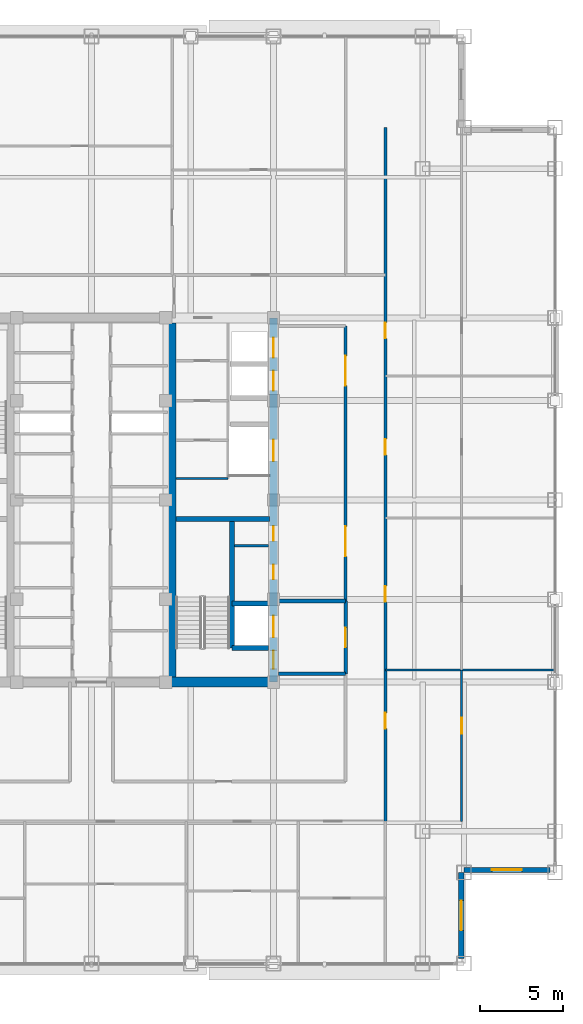
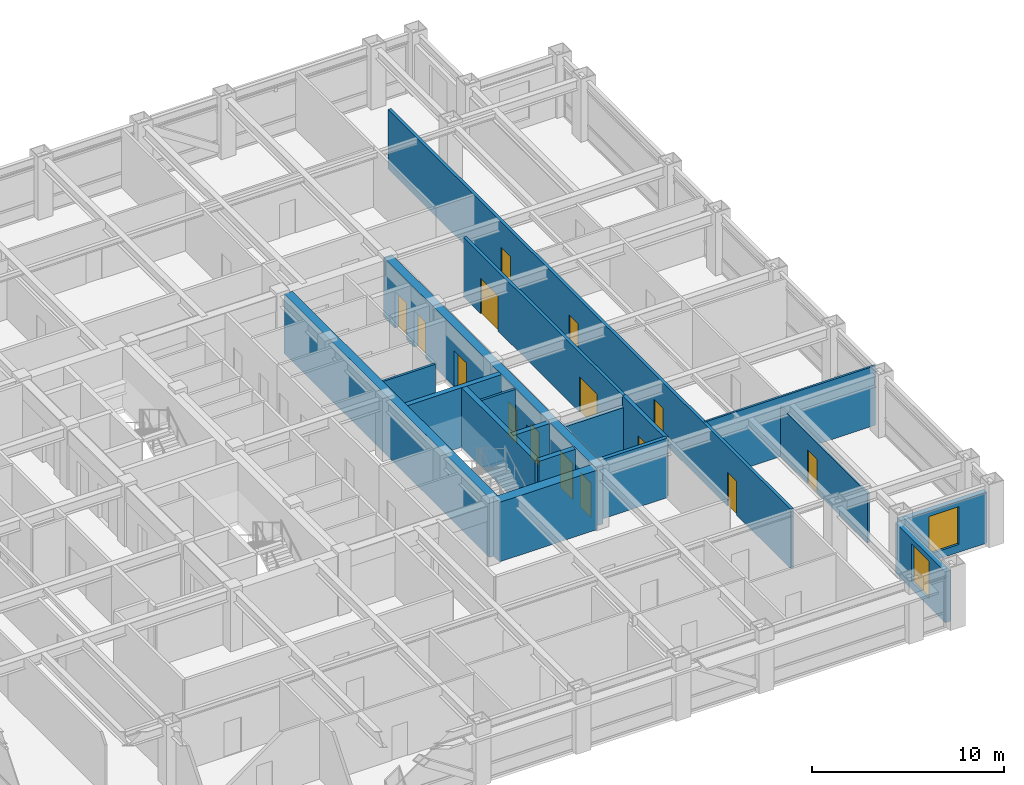
# One storey, part 20 of 27: 18 walls, 15 doors, 2 windows, 17 openings.
"""IFC4 building model written with IfcOpenShell, lengths in metres."""

from ifc_helpers import new_model, si_unit, direction, frame, frame_2d, origin, place, context, subcontext, project, spatial, rectangle, extrude, source, transform, mapped, material, layer, layer_set, type_object, element, fill, save


model = new_model("IFC4")

# Units and contexts
model_context = context("Model", 3, precision=1e-05, world=origin(), true_north=direction((0.0, 1.0)))
body_context = subcontext(model_context, "Body", "Model", "MODEL_VIEW")
ifc_project = project(units=[si_unit("LENGTHUNIT", "METRE"), si_unit("AREAUNIT", "SQUARE_METRE"), si_unit("VOLUMEUNIT", "CUBIC_METRE"), si_unit("PLANEANGLEUNIT", "RADIAN"), si_unit("MASSUNIT", "GRAM", prefix="KILO")], contexts=[model_context])

# Site, building, storey
site_placement = place(None, origin())
site = spatial("IfcSite", under=ifc_project, at=site_placement, CompositionType="ELEMENT")
building_placement = place(site_placement, origin())
building = spatial("IfcBuilding", under=site, at=building_placement, Name="Khorayat Bourse Tower", CompositionType="ELEMENT")
storey_placement = place(building_placement, frame((0.0, 0.0, 281.5)))
storey = spatial("IfcBuildingStorey", under=building, at=storey_placement, Name="L66", CompositionType="ELEMENT", Elevation=281.5)

# Wall, openings, doors
ifc_material_1 = material(Name="Concrete C52/65", Category="concrete")
ifc_layer_1 = layer(ifc_material_1, 0.5)
ifc_layer_set_1 = layer_set([ifc_layer_1], Name="Concrete C52/65")
wall_type_1 = type_object("IfcWallType", Name="WAL-CORE-500", PredefinedType="SHEAR", material=ifc_layer_set_1)
shared_shape_1 = source(origin(), body_context, "Body", "SweptSolid", [
    extrude(rectangle(XDim=22.0, YDim=0.5, at=frame_2d((11.0, 0.0))), origin(), (0.0, 0.0, 1.0), 3.780029296875),
])
wall_1_placement = place(storey_placement, frame((11.0, -11.0, 0.0), z_axis=(0.0, 0.0, 1.0), x_axis=(0.0, 1.0, 0.0)))
wall_1 = element("IfcWall", 1, at=wall_1_placement, inside=storey, type_object=wall_type_1, Name="L66 Core Shear Wall CORE-E", PredefinedType="SHEAR", context=body_context, shape_type="MappedRepresentation", body=[
    mapped(shared_shape_1, transform((0.0, 0.0, 0.0), scale=1.0)),
])
shared_shape_2 = source(origin(), body_context, "Body", "SweptSolid", [
    extrude(rectangle(XDim=1.10009765625, YDim=2.199951171875, at=frame_2d((0.550048828125, 1.10009765625))), frame((0.0, 0.260009765625, 0.0), z_axis=(0.0, -1.0, 0.0), x_axis=(1.0, 0.0, 0.0)), (0.0, 0.0, 1.0), 0.52001953125),
])
opening_1_placement = place(wall_1_placement, frame((0.800048828125, 0.0, 0.0)))
opening_1 = element("IfcOpeningElement", 2, at=opening_1_placement, cuts=wall_1, Name="Opening DI-01", PredefinedType="OPENING", context=body_context, shape_type="MappedRepresentation", body=[
    mapped(shared_shape_2, transform((0.0, 0.0, 0.0), scale=1.0)),
])
shared_shape_3 = source(origin(), body_context, "Body", "SweptSolid", [
    extrude(rectangle(XDim=0.89990234375, YDim=2.14990234375, at=frame_2d((0.449951171875, 1.074951171875))), frame((0.0, 0.260009765625, 0.0), z_axis=(0.0, -1.0, 0.0), x_axis=(1.0, 0.0, 0.0)), (0.0, 0.0, 1.0), 0.52001953125),
])
opening_2_placement = place(wall_1_placement, frame((6.199951171875, 0.0, 0.0)))
opening_2 = element("IfcOpeningElement", 3, at=opening_2_placement, cuts=wall_1, Name="Opening DI-06", PredefinedType="OPENING", context=body_context, shape_type="MappedRepresentation", body=[
    mapped(shared_shape_3, transform((0.0, 0.0, 0.0), scale=1.0)),
])
opening_3_placement = place(wall_1_placement, frame((8.52490234375, 0.0, 0.0)))
opening_3 = element("IfcOpeningElement", 4, at=opening_3_placement, cuts=wall_1, Name="Opening DI-06", PredefinedType="OPENING", context=body_context, shape_type="MappedRepresentation", body=[
    mapped(shared_shape_3, transform((0.0, 0.0, 0.0), scale=1.0)),
])
shared_shape_4 = source(origin(), body_context, "Body", "SweptSolid", [
    extrude(rectangle(XDim=1.199951171875, YDim=2.300048828125, at=frame_2d((0.60009765625, 1.14990234375))), frame((0.0, 0.260009765625, 0.0), z_axis=(0.0, -1.0, 0.0), x_axis=(1.0, 0.0, 0.0)), (0.0, 0.0, 1.0), 0.52001953125),
])
opening_4_placement = place(wall_1_placement, frame((17.60009765625, 0.0, 0.0)))
opening_4 = element("IfcOpeningElement", 5, at=opening_4_placement, cuts=wall_1, Name="Opening LD-01", PredefinedType="OPENING", context=body_context, shape_type="MappedRepresentation", body=[
    mapped(shared_shape_4, transform((0.0, 0.0, 0.0), scale=1.0)),
])
opening_5_placement = place(wall_1_placement, frame((19.60009765625, 0.0, 0.0)))
opening_5 = element("IfcOpeningElement", 6, at=opening_5_placement, cuts=wall_1, Name="Opening LD-01", PredefinedType="OPENING", context=body_context, shape_type="MappedRepresentation", body=[
    mapped(shared_shape_4, transform((0.0, 0.0, 0.0), scale=1.0)),
])
shared_shape_5 = source(origin(), body_context, "Body", "SweptSolid", [
    extrude(rectangle(XDim=1.300048828125, YDim=2.300048828125, at=frame_2d((0.64990234375, 1.14990234375))), frame((0.0, 0.260009765625, 0.0), z_axis=(0.0, -1.0, 0.0), x_axis=(1.0, 0.0, 0.0)), (0.0, 0.0, 1.0), 0.52001953125),
])
opening_6_placement = place(wall_1_placement, frame((2.699951171875, 0.0, 0.0)))
opening_6 = element("IfcOpeningElement", 7, at=opening_6_placement, cuts=wall_1, Name="Opening LD-02", PredefinedType="OPENING", context=body_context, shape_type="MappedRepresentation", body=[
    mapped(shared_shape_5, transform((0.0, 0.0, 0.0), scale=1.0)),
])
opening_7_placement = place(wall_1_placement, frame((13.35009765625, 0.0, 0.0)))
opening_7 = element("IfcOpeningElement", 8, at=opening_7_placement, cuts=wall_1, Name="Opening LD-02", PredefinedType="OPENING", context=body_context, shape_type="MappedRepresentation", body=[
    mapped(shared_shape_5, transform((0.0, 0.0, 0.0), scale=1.0)),
])
ifc_material_2 = material(Name="Fire-rated steel acoustic leaf", Category="steel")
door_type_1 = type_object("IfcDoorType", Name="DR-INT-STAIR-1100", OperationType="NOTDEFINED", PredefinedType="DOOR", material=ifc_material_2)
shared_shape_6 = source(origin(), body_context, "Body", "SweptSolid", [
    extrude(rectangle(XDim=1.10009765625, YDim=2.199951171875, at=frame_2d((0.550048828125, 1.10009765625))), frame((0.0, 0.02490234375, 0.0), z_axis=(0.0, -1.0, 0.0), x_axis=(1.0, 0.0, 0.0)), (0.0, 0.0, 1.0), 0.050048828125),
])
door_1_placement = place(opening_1_placement, origin())
door_1 = element("IfcDoor", 9, at=door_1_placement, inside=storey, type_object=door_type_1, Name="L66 Exit Stair 3 Door", OperationType="SINGLE_SWING_LEFT", OverallHeight=2.199951171875, OverallWidth=1.10009765625, PredefinedType="DOOR", context=body_context, shape_type="MappedRepresentation", body=[
    mapped(shared_shape_6, transform((0.0, 0.0, 0.0), scale=1.0)),
])
fill(opening_1, door_1)
ifc_material_3 = material(Name="Moisture-resistant laminate washroom door")
door_type_2 = type_object("IfcDoorType", Name="DR-INT-WC-900", OperationType="NOTDEFINED", PredefinedType="DOOR", material=ifc_material_3)
shared_shape_7 = source(origin(), body_context, "Body", "SweptSolid", [
    extrude(rectangle(XDim=0.89990234375, YDim=2.14990234375, at=frame_2d((0.449951171875, 1.074951171875))), frame((0.0, 0.02490234375, 0.0), z_axis=(0.0, -1.0, 0.0), x_axis=(1.0, 0.0, 0.0)), (0.0, 0.0, 1.0), 0.050048828125),
])
door_2_placement = place(opening_2_placement, origin())
door_2 = element("IfcDoor", 10, at=door_2_placement, inside=storey, type_object=door_type_2, Name="L66 Telecom Closet Door", OperationType="SINGLE_SWING_LEFT", OverallHeight=2.14990234375, OverallWidth=0.89990234375, PredefinedType="DOOR", context=body_context, shape_type="MappedRepresentation", body=[
    mapped(shared_shape_7, transform((0.0, 0.0, 0.0), scale=1.0)),
])
fill(opening_2, door_2)
door_3_placement = place(opening_3_placement, origin())
door_3 = element("IfcDoor", 11, at=door_3_placement, inside=storey, type_object=door_type_2, Name="L66 Stationery Store Door", OperationType="SINGLE_SWING_RIGHT", OverallHeight=2.14990234375, OverallWidth=0.89990234375, PredefinedType="DOOR", context=body_context, shape_type="MappedRepresentation", body=[
    mapped(shared_shape_7, transform((0.0, 0.0, 0.0), scale=1.0)),
])
fill(opening_3, door_3)
ifc_material_4 = material(Name="Brushed bronze stainless-steel sliding door", Category="steel")
door_type_3 = type_object("IfcDoorType", Name="DR-LIFT-PASS-1200", OperationType="NOTDEFINED", PredefinedType="DOOR", material=ifc_material_4)
shared_shape_8 = source(origin(), body_context, "Body", "SweptSolid", [
    extrude(rectangle(XDim=1.199951171875, YDim=2.300048828125, at=frame_2d((0.60009765625, 1.14990234375))), frame((0.0, 0.02490234375, 0.0), z_axis=(0.0, -1.0, 0.0), x_axis=(1.0, 0.0, 0.0)), (0.0, 0.0, 1.0), 0.050048828125),
])
door_4_placement = place(opening_4_placement, origin())
door_4 = element("IfcDoor", 12, at=door_4_placement, inside=storey, type_object=door_type_3, Name="L66 Lift PL-H3 Sliding Landing Door", OperationType="SLIDING_TO_LEFT", OverallHeight=2.300048828125, OverallWidth=1.199951171875, PredefinedType="DOOR", context=body_context, shape_type="MappedRepresentation", body=[
    mapped(shared_shape_8, transform((0.0, 0.0, 0.0), scale=1.0)),
])
fill(opening_4, door_4)
door_5_placement = place(opening_5_placement, origin())
door_5 = element("IfcDoor", 13, at=door_5_placement, inside=storey, type_object=door_type_3, Name="L66 Lift PL-H4 Sliding Landing Door", OperationType="SLIDING_TO_LEFT", OverallHeight=2.300048828125, OverallWidth=1.199951171875, PredefinedType="DOOR", context=body_context, shape_type="MappedRepresentation", body=[
    mapped(shared_shape_8, transform((0.0, 0.0, 0.0), scale=1.0)),
])
fill(opening_5, door_5)
ifc_material_5 = material(Name="Fire-rated stainless-steel sliding landing door", Category="steel")
door_type_4 = type_object("IfcDoorType", Name="DR-LIFT-FF-1300", OperationType="NOTDEFINED", PredefinedType="DOOR", material=ifc_material_5)
shared_shape_9 = source(origin(), body_context, "Body", "SweptSolid", [
    extrude(rectangle(XDim=1.300048828125, YDim=2.300048828125, at=frame_2d((0.64990234375, 1.14990234375))), frame((0.0, 0.02490234375, 0.0), z_axis=(0.0, -1.0, 0.0), x_axis=(1.0, 0.0, 0.0)), (0.0, 0.0, 1.0), 0.050048828125),
])
door_6_placement = place(opening_6_placement, origin())
door_6 = element("IfcDoor", 14, at=door_6_placement, inside=storey, type_object=door_type_4, Name="L66 Lift FFL-02 Sliding Landing Door", OperationType="SLIDING_TO_LEFT", OverallHeight=2.300048828125, OverallWidth=1.300048828125, PredefinedType="DOOR", context=body_context, shape_type="MappedRepresentation", body=[
    mapped(shared_shape_9, transform((0.0, 0.0, 0.0), scale=1.0)),
])
fill(opening_6, door_6)
door_7_placement = place(opening_7_placement, origin())
door_7 = element("IfcDoor", 15, at=door_7_placement, inside=storey, type_object=door_type_4, Name="L66 Lift SVL-01 Sliding Landing Door", OperationType="SLIDING_TO_LEFT", OverallHeight=2.300048828125, OverallWidth=1.300048828125, PredefinedType="DOOR", context=body_context, shape_type="MappedRepresentation", body=[
    mapped(shared_shape_9, transform((0.0, 0.0, 0.0), scale=1.0)),
])
fill(opening_7, door_7)

# Walls
shared_shape_10 = source(origin(), body_context, "Body", "SweptSolid", [
    extrude(rectangle(XDim=21.39990234375, YDim=0.5, at=frame_2d((10.699951171875, 0.0))), origin(), (0.0, 0.0, 1.0), 3.780029296875),
])
wall_2_placement = place(storey_placement, frame((4.85009765625, -10.699951171875, 0.0), z_axis=(0.0, 0.0, 1.0), x_axis=(0.0, 1.0, 0.0)))
element("IfcWall", 16, at=wall_2_placement, inside=storey, type_object=wall_type_1, Name="L66 Core Shear Wall PIER-E", PredefinedType="SHEAR", context=body_context, shape_type="MappedRepresentation", body=[
    mapped(shared_shape_10, transform((0.0, 0.0, 0.0), scale=1.0)),
])
ifc_material_6 = material(Name="Concrete C60/75", Category="concrete")
ifc_layer_2 = layer(ifc_material_6, 0.60009765625)
ifc_layer_set_2 = layer_set([ifc_layer_2], Name="Concrete C60/75")
wall_type_2 = type_object("IfcWallType", Name="WAL-CORE-600", PredefinedType="SHEAR", material=ifc_layer_set_2)
shared_shape_11 = source(origin(), body_context, "Body", "SweptSolid", [
    extrude(rectangle(XDim=5.89990234375, YDim=0.60009765625, at=frame_2d((2.949951171875, 0.0))), origin(), (0.0, 0.0, 1.0), 3.780029296875),
])
wall_3_placement = place(storey_placement, frame((4.85009765625, -11.0, 0.0), z_axis=(0.0, 0.0, 1.0), x_axis=(1.0, 0.0, 0.0)))
element("IfcWall", 17, at=wall_3_placement, inside=storey, type_object=wall_type_2, Name="L66 Core Shear Wall PIER-ES", PredefinedType="SHEAR", context=body_context, shape_type="MappedRepresentation", body=[
    mapped(shared_shape_11, transform((0.0, 0.0, 0.0), scale=1.0)),
])
ifc_material_7 = material(Name="Concrete C50/60", Category="concrete")
ifc_layer_3 = layer(ifc_material_7, 0.300048828125)
ifc_layer_set_3 = layer_set([ifc_layer_3], Name="Concrete C50/60")
wall_type_3 = type_object("IfcWallType", Name="WAL-SHAFT-300", PredefinedType="SHEAR", material=ifc_layer_set_3)
shared_shape_12 = source(origin(), body_context, "Body", "SweptSolid", [
    extrude(rectangle(XDim=5.64990234375, YDim=0.300048828125, at=frame_2d((2.824951171875, 0.0))), origin(), (0.0, 0.0, 1.0), 3.780029296875),
])
wall_4_placement = place(storey_placement, frame((5.10009765625, -1.14990234375, 0.0), z_axis=(0.0, 0.0, 1.0), x_axis=(1.0, 0.0, 0.0)))
element("IfcWall", 18, at=wall_4_placement, inside=storey, type_object=wall_type_3, Name="L66 Core Shear Wall ST3-DIV", PredefinedType="SHEAR", context=body_context, shape_type="MappedRepresentation", body=[
    mapped(shared_shape_12, transform((0.0, 0.0, 0.0), scale=1.0)),
])

# Wall, opening, window
ifc_material_8 = material(Name="Precast concrete C45/55", Category="concrete")
ifc_layer_4 = layer(ifc_material_8, 0.320068359375)
ifc_layer_set_4 = layer_set([ifc_layer_4], Name="Precast concrete C45/55")
wall_type_4 = type_object("IfcWallType", Name="WAL-EXT-STONE-320", PredefinedType="STANDARD", material=ifc_layer_set_4)
shared_shape_13 = source(origin(), body_context, "Body", "SweptSolid", [
    extrude(rectangle(XDim=5.179931640625, YDim=0.320068359375, at=frame_2d((2.58984375, 0.0))), origin(), (0.0, 0.0, 1.0), 3.23095703125),
])
wall_5_placement = place(storey_placement, frame((22.340087890625, -27.679931640625, 0.0), z_axis=(0.0, 0.0, 1.0), x_axis=(0.0, 1.0, 0.0)))
wall_5 = element("IfcWall", 19, at=wall_5_placement, inside=storey, type_object=wall_type_4, Name="L66 Re-Entrant Notch Limestone Wall SE-V", PredefinedType="STANDARD", context=body_context, shape_type="MappedRepresentation", body=[
    mapped(shared_shape_13, transform((0.0, 0.0, 0.0), scale=1.0)),
])
shared_shape_14 = source(origin(), body_context, "Body", "SweptSolid", [
    extrude(rectangle(XDim=1.800048828125, YDim=2.39990234375, at=frame_2d((0.89990234375, 1.199951171875))), frame((0.0, 0.169921875, 0.0), z_axis=(0.0, -1.0, 0.0), x_axis=(1.0, 0.0, 0.0)), (0.0, 0.0, 1.0), 0.340087890625),
])
opening_8_placement = place(wall_5_placement, frame((1.68994140625, 0.0, 0.5)))
opening_8 = element("IfcOpeningElement", 20, at=opening_8_placement, cuts=wall_5, Name="Opening WN-04", PredefinedType="OPENING", context=body_context, shape_type="MappedRepresentation", body=[
    mapped(shared_shape_14, transform((0.0, 0.0, 0.0), scale=1.0)),
])
ifc_material_9 = material(Name="Low-E acoustic laminated double glazing", Category="glass")
window_type = type_object("IfcWindowType", Name="WIN-NOTCH-1800x2400", PartitioningType="SINGLE_PANEL", PredefinedType="WINDOW", material=ifc_material_9)
shared_shape_15 = source(origin(), body_context, "Body", "SweptSolid", [
    extrude(rectangle(XDim=1.800048828125, YDim=2.39990234375, at=frame_2d((0.89990234375, 1.199951171875))), frame((0.0, 0.030029296875, 0.0), z_axis=(0.0, -1.0, 0.0), x_axis=(1.0, 0.0, 0.0)), (0.0, 0.0, 1.0), 0.06005859375),
])
window_1_placement = place(opening_8_placement, origin())
window_1 = element("IfcWindow", 21, at=window_1_placement, inside=storey, type_object=window_type, Name="L66 Facade Window 1", OverallHeight=2.39990234375, OverallWidth=1.800048828125, PartitioningType="SINGLE_PANEL", PredefinedType="WINDOW", context=body_context, shape_type="MappedRepresentation", body=[
    mapped(shared_shape_15, transform((0.0, 0.0, 0.0), scale=1.0)),
])
fill(opening_8, window_1)

wall_6_placement = place(storey_placement, frame((22.5, -22.340087890625, 0.0), z_axis=(0.0, 0.0, 1.0), x_axis=(1.0, 0.0, 0.0)))
wall_6 = element("IfcWall", 22, at=wall_6_placement, inside=storey, type_object=wall_type_4, Name="L66 Re-Entrant Notch Limestone Wall SE-H", PredefinedType="STANDARD", context=body_context, shape_type="MappedRepresentation", body=[
    mapped(shared_shape_13, transform((0.0, 0.0, 0.0), scale=1.0)),
])
opening_9_placement = place(wall_6_placement, frame((1.68994140625, 0.0, 0.5)))
opening_9 = element("IfcOpeningElement", 23, at=opening_9_placement, cuts=wall_6, Name="Opening WN-04", PredefinedType="OPENING", context=body_context, shape_type="MappedRepresentation", body=[
    mapped(shared_shape_14, transform((0.0, 0.0, 0.0), scale=1.0)),
])
window_2_placement = place(opening_9_placement, origin())
window_2 = element("IfcWindow", 24, at=window_2_placement, inside=storey, type_object=window_type, Name="L66 Facade Window 1", OverallHeight=2.39990234375, OverallWidth=1.800048828125, PartitioningType="SINGLE_PANEL", PredefinedType="WINDOW", context=body_context, shape_type="MappedRepresentation", body=[
    mapped(shared_shape_15, transform((0.0, 0.0, 0.0), scale=1.0)),
])
fill(opening_9, window_2)

# Walls
ifc_material_10 = material(Name="Aerated concrete blockwork", Category="masonry")
ifc_layer_5 = layer(ifc_material_10, 0.219970703125)
ifc_layer_set_5 = layer_set([ifc_layer_5], Name="Aerated concrete blockwork")
wall_type_5 = type_object("IfcWallType", Name="WAL-PART-FF-220", PredefinedType="PARTITIONING", material=ifc_layer_set_5)
shared_shape_16 = source(origin(), body_context, "Body", "SweptSolid", [
    extrude(rectangle(XDim=4.050048828125, YDim=0.219970703125, at=frame_2d((2.02490234375, 0.0))), origin(), (0.0, 0.0, 1.0), 3.0849609375),
])
wall_7_placement = place(storey_placement, frame((11.300048828125, -6.10009765625, 0.0), z_axis=(0.0, 0.0, 1.0), x_axis=(1.0, 0.0, 0.0)))
element("IfcWall", 25, at=wall_7_placement, inside=storey, type_object=wall_type_5, Name="L66 Partition WAL-L66-FFLE-N", PredefinedType="PARTITIONING", context=body_context, shape_type="MappedRepresentation", body=[
    mapped(shared_shape_16, transform((0.0, 0.0, 0.0), scale=1.0)),
])
shared_shape_17 = source(origin(), body_context, "Body", "SweptSolid", [
    extrude(rectangle(XDim=7.800048828125, YDim=0.300048828125, at=frame_2d((3.89990234375, 0.0))), origin(), (0.0, 0.0, 1.0), 3.780029296875),
])
wall_8_placement = place(storey_placement, frame((8.5, -8.949951171875, 0.0), z_axis=(0.0, 0.0, 1.0), x_axis=(0.0, 1.0, 0.0)))
element("IfcWall", 26, at=wall_8_placement, inside=storey, type_object=wall_type_3, Name="L66 Partition WAL-L66-EPIER-SP", PredefinedType="SHEAR", context=body_context, shape_type="MappedRepresentation", body=[
    mapped(shared_shape_17, transform((0.0, 0.0, 0.0), scale=1.0)),
])
shared_shape_18 = source(origin(), body_context, "Body", "SweptSolid", [
    extrude(rectangle(XDim=2.199951171875, YDim=0.300048828125, at=frame_2d((1.10009765625, 0.0))), origin(), (0.0, 0.0, 1.0), 3.780029296875),
])
for number, where, z_axis, x_axis, name in (
    (27, (8.5, -8.949951171875, 0.0), (0.0, 0.0, 1.0), (1.0, 0.0, 0.0), "L66 Partition WAL-L66-EPIER-FF2S"),
    (28, (8.5, -6.25, 0.0), (0.0, 0.0, 1.0), (1.0, 0.0, 0.0), "L66 Partition WAL-L66-EPIER-FF2N"),
):
    element("IfcWall", number, at=place(storey_placement, frame(where, z_axis=z_axis, x_axis=x_axis)), inside=storey, type_object=wall_type_3, Name=name, PredefinedType="SHEAR", context=body_context, shape_type="MappedRepresentation", body=[
        mapped(shared_shape_18, transform((0.0, 0.0, 0.0), scale=1.0)),
    ])
ifc_material_11 = material(Name="Gypsum plasterboard twin-frame partition")
ifc_layer_6 = layer(ifc_material_11, 0.14990234375)
ifc_layer_set_6 = layer_set([ifc_layer_6], Name="Gypsum plasterboard twin-frame partition")
wall_type_6 = type_object("IfcWallType", Name="WAL-PART-SUITE-150", PredefinedType="PARTITIONING", material=ifc_layer_set_6)
shared_shape_19 = source(origin(), body_context, "Body", "SweptSolid", [
    extrude(rectangle(XDim=2.050048828125, YDim=0.14990234375, at=frame_2d((1.02490234375, 0.0))), origin(), (0.0, 0.0, 1.0), 3.780029296875),
])
wall_9_placement = place(storey_placement, frame((8.64990234375, -2.75, 0.0), z_axis=(0.0, 0.0, 1.0), x_axis=(1.0, 0.0, 0.0)))
element("IfcWall", 29, at=wall_9_placement, inside=storey, type_object=wall_type_6, Name="L66 Partition WAL-L66-ESRV-D1", PredefinedType="PARTITIONING", context=body_context, shape_type="MappedRepresentation", body=[
    mapped(shared_shape_19, transform((0.0, 0.0, 0.0), scale=1.0)),
])
ifc_material_12 = material(Name="Moisture-resistant masonry partition", Category="masonry")
ifc_layer_7 = layer(ifc_material_12, 0.139892578125)
ifc_layer_set_7 = layer_set([ifc_layer_7], Name="Moisture-resistant masonry partition")
wall_type_7 = type_object("IfcWallType", Name="WAL-PART-WET-140", PredefinedType="PARTITIONING", material=ifc_layer_set_7)
shared_shape_20 = source(origin(), body_context, "Body", "SweptSolid", [
    extrude(rectangle(XDim=3.14990234375, YDim=0.139892578125, at=frame_2d((1.574951171875, 0.0))), origin(), (0.0, 0.0, 1.0), 3.780029296875),
])
wall_10_placement = place(storey_placement, frame((5.10009765625, 1.300048828125, 0.0), z_axis=(0.0, 0.0, 1.0), x_axis=(1.0, 0.0, 0.0)))
element("IfcWall", 30, at=wall_10_placement, inside=storey, type_object=wall_type_7, Name="L66 Partition WAL-L66-ECORE-S", PredefinedType="PARTITIONING", context=body_context, shape_type="MappedRepresentation", body=[
    mapped(shared_shape_20, transform((0.0, 0.0, 0.0), scale=1.0)),
])
shared_shape_21 = source(origin(), body_context, "Body", "SweptSolid", [
    extrude(rectangle(XDim=4.050048828125, YDim=0.219970703125, at=frame_2d((2.02490234375, 0.0))), origin(), (0.0, 0.0, 1.0), 3.780029296875),
])
wall_11_placement = place(storey_placement, frame((11.300048828125, -10.5, 0.0), z_axis=(0.0, 0.0, 1.0), x_axis=(1.0, 0.0, 0.0)))
element("IfcWall", 31, at=wall_11_placement, inside=storey, type_object=wall_type_5, Name="L66 Partition WAL-L66-FFLE-S", PredefinedType="PARTITIONING", context=body_context, shape_type="MappedRepresentation", body=[
    mapped(shared_shape_21, transform((0.0, 0.0, 0.0), scale=1.0)),
])

# Wall, opening, door
shared_shape_22 = source(origin(), body_context, "Body", "SweptSolid", [
    extrude(rectangle(XDim=4.39990234375, YDim=0.219970703125, at=frame_2d((2.199951171875, 0.0))), origin(), (0.0, 0.0, 1.0), 3.780029296875),
])
wall_12_placement = place(storey_placement, frame((15.35009765625, -10.5, 0.0), z_axis=(0.0, 0.0, 1.0), x_axis=(0.0, 1.0, 0.0)))
wall_12 = element("IfcWall", 32, at=wall_12_placement, inside=storey, type_object=wall_type_5, Name="L66 Partition WAL-L66-FFLE-E", PredefinedType="PARTITIONING", context=body_context, shape_type="MappedRepresentation", body=[
    mapped(shared_shape_22, transform((0.0, 0.0, 0.0), scale=1.0)),
])
shared_shape_23 = source(origin(), body_context, "Body", "SweptSolid", [
    extrude(rectangle(XDim=1.199951171875, YDim=2.199951171875, at=frame_2d((0.60009765625, 1.10009765625))), frame((0.0, 0.119873046875, 0.0), z_axis=(0.0, -1.0, 0.0), x_axis=(1.0, 0.0, 0.0)), (0.0, 0.0, 1.0), 0.239990234375),
])
opening_10_placement = place(wall_12_placement, frame((1.60009765625, 0.0, 0.0)))
opening_10 = element("IfcOpeningElement", 33, at=opening_10_placement, cuts=wall_12, Name="Opening DI-02", PredefinedType="OPENING", context=body_context, shape_type="MappedRepresentation", body=[
    mapped(shared_shape_23, transform((0.0, 0.0, 0.0), scale=1.0)),
])
ifc_material_13 = material(Name="Fire-rated steel double-seal leaf", Category="steel")
door_type_5 = type_object("IfcDoorType", Name="DR-INT-FFLOBBY-1200", OperationType="NOTDEFINED", PredefinedType="DOOR", material=ifc_material_13)
shared_shape_24 = source(origin(), body_context, "Body", "SweptSolid", [
    extrude(rectangle(XDim=1.199951171875, YDim=2.199951171875, at=frame_2d((0.60009765625, 1.10009765625))), frame((0.0, 0.02490234375, 0.0), z_axis=(0.0, -1.0, 0.0), x_axis=(1.0, 0.0, 0.0)), (0.0, 0.0, 1.0), 0.050048828125),
])
door_8_placement = place(opening_10_placement, origin())
door_8 = element("IfcDoor", 34, at=door_8_placement, inside=storey, type_object=door_type_5, Name="L66 East Firefighting Lobby Door", OperationType="SINGLE_SWING_RIGHT", OverallHeight=2.199951171875, OverallWidth=1.199951171875, PredefinedType="DOOR", context=body_context, shape_type="MappedRepresentation", body=[
    mapped(shared_shape_24, transform((0.0, 0.0, 0.0), scale=1.0)),
])
fill(opening_10, door_8)

# Wall, openings, doors
ifc_material_14 = material(Name="Gypsum plasterboard acoustic stud wall")
ifc_layer_8 = layer(ifc_material_14, 0.179931640625)
ifc_layer_set_8 = layer_set([ifc_layer_8], Name="Gypsum plasterboard acoustic stud wall")
wall_type_8 = type_object("IfcWallType", Name="WAL-PART-CORR-180", PredefinedType="PARTITIONING", material=ifc_layer_set_8)
shared_shape_25 = source(origin(), body_context, "Body", "SweptSolid", [
    extrude(rectangle(XDim=16.60009765625, YDim=0.179931640625, at=frame_2d((8.300048828125, 0.0))), origin(), (0.0, 0.0, 1.0), 3.780029296875),
])
wall_13_placement = place(storey_placement, frame((15.35009765625, -6.10009765625, 0.0), z_axis=(0.0, 0.0, 1.0), x_axis=(0.0, 1.0, 0.0)))
wall_13 = element("IfcWall", 35, at=wall_13_placement, inside=storey, type_object=wall_type_8, Name="L66 Partition WAL-L66-ELOB-E", PredefinedType="PARTITIONING", context=body_context, shape_type="MappedRepresentation", body=[
    mapped(shared_shape_25, transform((0.0, 0.0, 0.0), scale=1.0)),
])
shared_shape_26 = source(origin(), body_context, "Body", "SweptSolid", [
    extrude(rectangle(XDim=1.800048828125, YDim=2.25, at=frame_2d((0.89990234375, 1.125))), frame((0.0, 0.099853515625, 0.0), z_axis=(0.0, -1.0, 0.0), x_axis=(1.0, 0.0, 0.0)), (0.0, 0.0, 1.0), 0.199951171875),
])
opening_11_placement = place(wall_13_placement, frame((2.699951171875, 0.0, 0.0)))
opening_11 = element("IfcOpeningElement", 36, at=opening_11_placement, cuts=wall_13, Name="Opening DI-03", PredefinedType="OPENING", context=body_context, shape_type="MappedRepresentation", body=[
    mapped(shared_shape_26, transform((0.0, 0.0, 0.0), scale=1.0)),
])
opening_12_placement = place(wall_13_placement, frame((13.0, 0.0, 0.0)))
opening_12 = element("IfcOpeningElement", 37, at=opening_12_placement, cuts=wall_13, Name="Opening DI-03", PredefinedType="OPENING", context=body_context, shape_type="MappedRepresentation", body=[
    mapped(shared_shape_26, transform((0.0, 0.0, 0.0), scale=1.0)),
])
ifc_material_15 = material(Name="Fire-rated hardwood vision-panel double leaf", Category="wood")
door_type_6 = type_object("IfcDoorType", Name="DR-INT-CORR-1800", OperationType="NOTDEFINED", PredefinedType="DOOR", material=ifc_material_15)
shared_shape_27 = source(origin(), body_context, "Body", "SweptSolid", [
    extrude(rectangle(XDim=1.800048828125, YDim=2.25, at=frame_2d((0.89990234375, 1.125))), frame((0.0, 0.02490234375, 0.0), z_axis=(0.0, -1.0, 0.0), x_axis=(1.0, 0.0, 0.0)), (0.0, 0.0, 1.0), 0.050048828125),
])
door_9_placement = place(opening_11_placement, origin())
door_9 = element("IfcDoor", 38, at=door_9_placement, inside=storey, type_object=door_type_6, Name="L66 East Core Lobby South Door", OperationType="SINGLE_SWING_RIGHT", OverallHeight=2.25, OverallWidth=1.800048828125, PredefinedType="DOOR", context=body_context, shape_type="MappedRepresentation", body=[
    mapped(shared_shape_27, transform((0.0, 0.0, 0.0), scale=1.0)),
])
fill(opening_11, door_9)
door_10_placement = place(opening_12_placement, origin())
door_10 = element("IfcDoor", 39, at=door_10_placement, inside=storey, type_object=door_type_6, Name="L66 East Core Lobby North Door", OperationType="SINGLE_SWING_LEFT", OverallHeight=2.25, OverallWidth=1.800048828125, PredefinedType="DOOR", context=body_context, shape_type="MappedRepresentation", body=[
    mapped(shared_shape_27, transform((0.0, 0.0, 0.0), scale=1.0)),
])
fill(opening_12, door_10)

# Wall
ifc_material_16 = material(Name="Gypsum plasterboard partition")
ifc_layer_9 = layer(ifc_material_16, 0.125)
ifc_layer_set_9 = layer_set([ifc_layer_9], Name="Gypsum plasterboard partition")
wall_type_9 = type_object("IfcWallType", Name="WAL-PART-ROOM-125", PredefinedType="PARTITIONING", material=ifc_layer_set_9)
shared_shape_28 = source(origin(), body_context, "Body", "SweptSolid", [
    extrude(rectangle(XDim=10.25, YDim=0.125, at=frame_2d((5.125, 0.0))), origin(), (0.0, 0.0, 1.0), 3.780029296875),
])
wall_14_placement = place(storey_placement, frame((17.75, -10.26806640625, 0.0), z_axis=(0.0, 0.0, 1.0), x_axis=(1.0, 0.0, 0.0)))
element("IfcWall", 40, at=wall_14_placement, inside=storey, type_object=wall_type_9, Name="L66 Partition WAL-L66-EDV-1", PredefinedType="PARTITIONING", context=body_context, shape_type="MappedRepresentation", body=[
    mapped(shared_shape_28, transform((0.0, 0.0, 0.0), scale=1.0)),
])

# Wall, opening, door
shared_shape_29 = source(origin(), body_context, "Body", "SweptSolid", [
    extrude(rectangle(XDim=9.1318359375, YDim=0.125, at=frame_2d((4.56591796875, 0.0))), origin(), (0.0, 0.0, 1.0), 3.1640625),
])
wall_15_placement = place(storey_placement, frame((22.362548828125, -19.39990234375, 0.0), z_axis=(0.0, 0.0, 1.0), x_axis=(0.0, 1.0, 0.0)))
wall_15 = element("IfcWall", 41, at=wall_15_placement, inside=storey, type_object=wall_type_9, Name="L66 Partition WAL-L66-EDP-1", PredefinedType="PARTITIONING", context=body_context, shape_type="MappedRepresentation", body=[
    mapped(shared_shape_29, transform((0.0, 0.0, 0.0), scale=1.0)),
])
shared_shape_30 = source(origin(), body_context, "Body", "SweptSolid", [
    extrude(rectangle(XDim=0.949951171875, YDim=2.14990234375, at=frame_2d((0.47509765625, 1.074951171875))), frame((0.0, 0.072509765625, 0.0), z_axis=(0.0, -1.0, 0.0), x_axis=(1.0, 0.0, 0.0)), (0.0, 0.0, 1.0), 0.14501953125),
])
opening_13_placement = place(wall_15_placement, frame((5.291015625, 0.0, 0.0)))
opening_13 = element("IfcOpeningElement", 42, at=opening_13_placement, cuts=wall_15, Name="Opening DI-05", PredefinedType="OPENING", context=body_context, shape_type="MappedRepresentation", body=[
    mapped(shared_shape_30, transform((0.0, 0.0, 0.0), scale=1.0)),
])
ifc_material_17 = material(Name="Acoustic oak veneer office door")
door_type_7 = type_object("IfcDoorType", Name="DR-INT-OFFICE-950", OperationType="NOTDEFINED", PredefinedType="DOOR", material=ifc_material_17)
shared_shape_31 = source(origin(), body_context, "Body", "SweptSolid", [
    extrude(rectangle(XDim=0.949951171875, YDim=2.14990234375, at=frame_2d((0.47509765625, 1.074951171875))), frame((0.0, 0.02490234375, 0.0), z_axis=(0.0, -1.0, 0.0), x_axis=(1.0, 0.0, 0.0)), (0.0, 0.0, 1.0), 0.050048828125),
])
door_11_placement = place(opening_13_placement, origin())
door_11 = element("IfcDoor", 43, at=door_11_placement, inside=storey, type_object=door_type_7, Name="L66 Clearing Records Archive Store E1B Door", OperationType="SINGLE_SWING_RIGHT", OverallHeight=2.14990234375, OverallWidth=0.949951171875, PredefinedType="DOOR", context=body_context, shape_type="MappedRepresentation", body=[
    mapped(shared_shape_31, transform((0.0, 0.0, 0.0), scale=1.0)),
])
fill(opening_13, door_11)

# Wall, openings, doors
shared_shape_32 = source(origin(), body_context, "Body", "SweptSolid", [
    extrude(rectangle(XDim=41.89990234375, YDim=0.179931640625, at=frame_2d((20.949951171875, 0.0))), origin(), (0.0, 0.0, 1.0), 3.780029296875),
])
wall_16_placement = place(storey_placement, frame((17.75, -19.39990234375, 0.0), z_axis=(0.0, 0.0, 1.0), x_axis=(0.0, 1.0, 0.0)))
wall_16 = element("IfcWall", 44, at=wall_16_placement, inside=storey, type_object=wall_type_8, Name="L66 Partition WAL-L66-ECORR", PredefinedType="PARTITIONING", context=body_context, shape_type="MappedRepresentation", body=[
    mapped(shared_shape_32, transform((0.0, 0.0, 0.0), scale=1.0)),
])
shared_shape_33 = source(origin(), body_context, "Body", "SweptSolid", [
    extrude(rectangle(XDim=0.949951171875, YDim=2.14990234375, at=frame_2d((0.47509765625, 1.074951171875))), frame((0.0, 0.099853515625, 0.0), z_axis=(0.0, -1.0, 0.0), x_axis=(1.0, 0.0, 0.0)), (0.0, 0.0, 1.0), 0.199951171875),
])
opening_14_placement = place(wall_16_placement, frame((5.591064453125, 0.0, 0.0)))
opening_14 = element("IfcOpeningElement", 45, at=opening_14_placement, cuts=wall_16, Name="Opening DI-05", PredefinedType="OPENING", context=body_context, shape_type="MappedRepresentation", body=[
    mapped(shared_shape_33, transform((0.0, 0.0, 0.0), scale=1.0)),
])
opening_15_placement = place(wall_16_placement, frame((13.2470703125, 0.0, 0.0)))
opening_15 = element("IfcOpeningElement", 46, at=opening_15_placement, cuts=wall_16, Name="Opening DI-05", PredefinedType="OPENING", context=body_context, shape_type="MappedRepresentation", body=[
    mapped(shared_shape_33, transform((0.0, 0.0, 0.0), scale=1.0)),
])
opening_16_placement = place(wall_16_placement, frame((22.12109375, 0.0, 0.0)))
opening_16 = element("IfcOpeningElement", 47, at=opening_16_placement, cuts=wall_16, Name="Opening DI-05", PredefinedType="OPENING", context=body_context, shape_type="MappedRepresentation", body=[
    mapped(shared_shape_33, transform((0.0, 0.0, 0.0), scale=1.0)),
])
opening_17_placement = place(wall_16_placement, frame((29.1650390625, 0.0, 0.0)))
opening_17 = element("IfcOpeningElement", 48, at=opening_17_placement, cuts=wall_16, Name="Opening DI-05", PredefinedType="OPENING", context=body_context, shape_type="MappedRepresentation", body=[
    mapped(shared_shape_33, transform((0.0, 0.0, 0.0), scale=1.0)),
])
door_12_placement = place(opening_14_placement, origin())
door_12 = element("IfcDoor", 49, at=door_12_placement, inside=storey, type_object=door_type_7, Name="L66 Staff Tea Pantry E1 Door", OperationType="SINGLE_SWING_RIGHT", OverallHeight=2.14990234375, OverallWidth=0.949951171875, PredefinedType="DOOR", context=body_context, shape_type="MappedRepresentation", body=[
    mapped(shared_shape_31, transform((0.0, 0.0, 0.0), scale=1.0)),
])
fill(opening_14, door_12)
door_13_placement = place(opening_15_placement, origin())
door_13 = element("IfcDoor", 50, at=door_13_placement, inside=storey, type_object=door_type_7, Name="L66 Executive Boardroom E2 Door", OperationType="SINGLE_SWING_LEFT", OverallHeight=2.14990234375, OverallWidth=0.949951171875, PredefinedType="DOOR", context=body_context, shape_type="MappedRepresentation", body=[
    mapped(shared_shape_31, transform((0.0, 0.0, 0.0), scale=1.0)),
])
fill(opening_15, door_13)
door_14_placement = place(opening_16_placement, origin())
door_14 = element("IfcDoor", 51, at=door_14_placement, inside=storey, type_object=door_type_7, Name="L66 Quantitative Research Study E3 Door", OperationType="SINGLE_SWING_RIGHT", OverallHeight=2.14990234375, OverallWidth=0.949951171875, PredefinedType="DOOR", context=body_context, shape_type="MappedRepresentation", body=[
    mapped(shared_shape_31, transform((0.0, 0.0, 0.0), scale=1.0)),
])
fill(opening_16, door_14)
door_15_placement = place(opening_17_placement, origin())
door_15 = element("IfcDoor", 52, at=door_15_placement, inside=storey, type_object=door_type_7, Name="L66 Equities Trading Desk E4 Door", OperationType="SINGLE_SWING_LEFT", OverallHeight=2.14990234375, OverallWidth=0.949951171875, PredefinedType="DOOR", context=body_context, shape_type="MappedRepresentation", body=[
    mapped(shared_shape_31, transform((0.0, 0.0, 0.0), scale=1.0)),
])
fill(opening_17, door_15)

save(model, "model.ifc")
